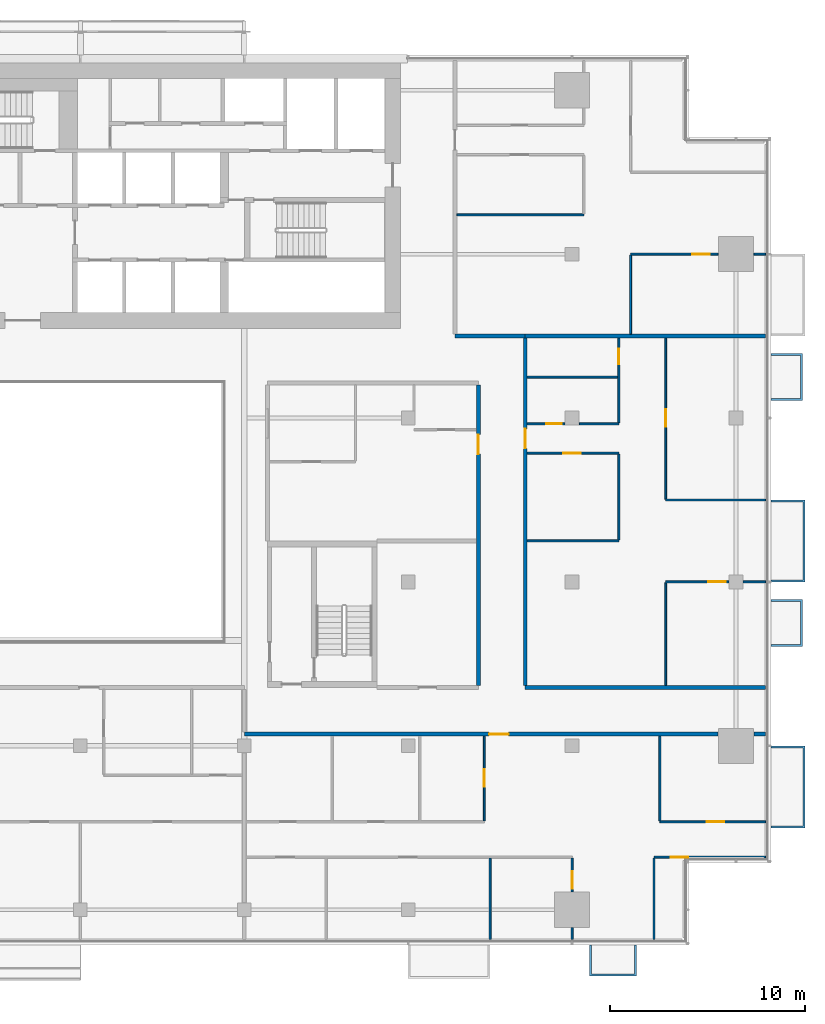
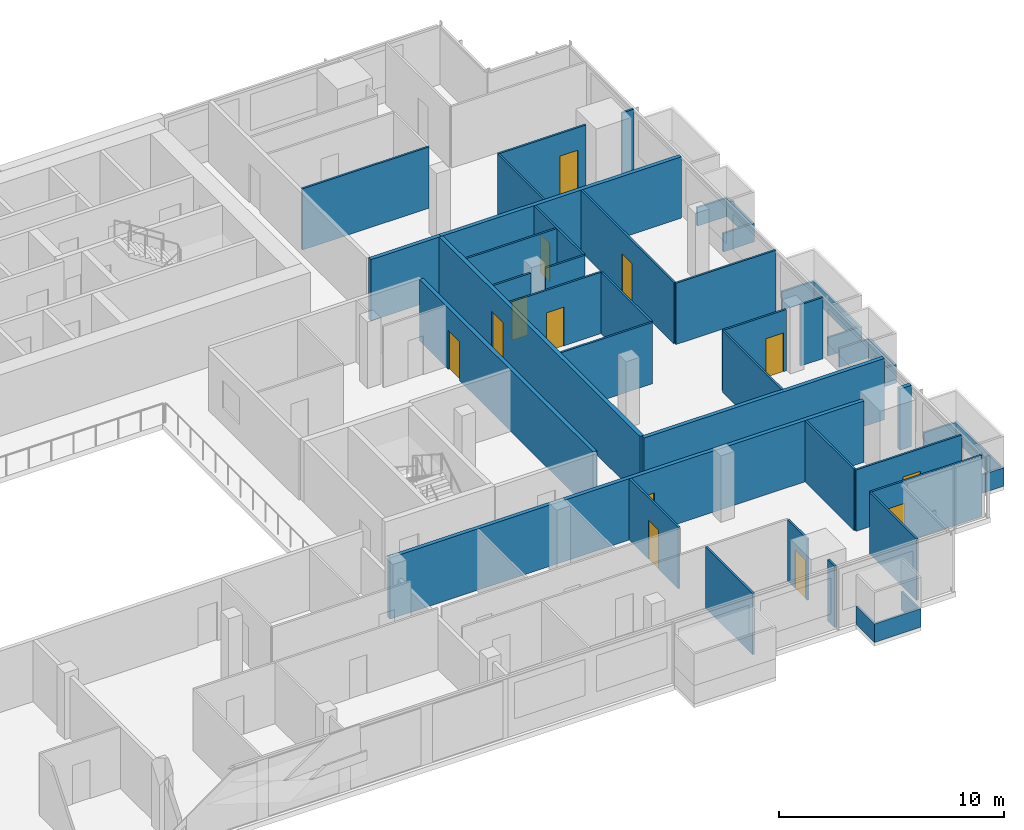
# One storey, part 24 of 28: 36 walls, 13 doors, 13 openings.
"""IFC4 building model written with IfcOpenShell, lengths in metres."""

from ifc_helpers import new_model, si_unit, direction, frame, frame_2d, origin, place, context, subcontext, project, spatial, polyline, rectangle, outline, extrude, material, layer, layer_set, type_object, element, fill, save


model = new_model("IFC4")

# Units and contexts
model_context = context("Model", 3, precision=1e-05, world=origin(), true_north=direction((0.0, 1.0)))
body_context = subcontext(model_context, "Body", "Model", "MODEL_VIEW")
ifc_project = project(units=[si_unit("LENGTHUNIT", "METRE"), si_unit("AREAUNIT", "SQUARE_METRE"), si_unit("VOLUMEUNIT", "CUBIC_METRE"), si_unit("PLANEANGLEUNIT", "RADIAN"), si_unit("MASSUNIT", "GRAM", prefix="KILO")], contexts=[model_context])

# Site, building, storey
site_placement = place(None, origin())
site = spatial("IfcSite", under=ifc_project, at=site_placement, CompositionType="ELEMENT")
building_placement = place(site_placement, origin())
building = spatial("IfcBuilding", under=site, at=building_placement, Name="Saffron Gate Tower", CompositionType="ELEMENT")
storey_placement = place(building_placement, frame((0.0, 0.0, 151.050048828125)))
storey = spatial("IfcBuildingStorey", under=building, at=storey_placement, Name="L36", CompositionType="ELEMENT", Elevation=151.050048828125)

# Wall, opening, door
ifc_material_1 = material(Name="Plasterboard on steel studs", Category="steel")
ifc_layer_1 = layer(ifc_material_1, 0.10009765625)
ifc_layer_set_1 = layer_set([ifc_layer_1], Name="PW1 Partition 100")
wall_type_1 = type_object("IfcWallType", Name="PW1 Partition 100", PredefinedType="PARTITIONING", material=ifc_layer_set_1)
wall_1_placement = place(storey_placement, frame((126.919921875, 34.5, 0.0), z_axis=(0.0, 0.0, 1.0), x_axis=(-1.0, 0.0, 0.0)))
wall_1 = element("IfcWall", 1, at=wall_1_placement, inside=storey, type_object=wall_type_1, Name="Partition C1-4", PredefinedType="PARTITIONING", context=body_context, shape_type="SweptSolid", body=[
    extrude(rectangle(XDim=5.719970703125, YDim=0.10009765625, at=frame_2d((2.85986328125, 0.0))), origin(), (0.0, 0.0, 1.0), 3.320068359375),
])
opening_1_placement = place(wall_1_placement, frame((3.96630859375, 0.0, 0.0)))
opening_1 = element("IfcOpeningElement", 2, at=opening_1_placement, cuts=wall_1, Name="Opening C1-22", PredefinedType="OPENING", context=body_context, shape_type="SweptSolid", body=[
    extrude(rectangle(XDim=0.89990234375, YDim=2.10009765625, at=frame_2d((0.449951171875, 1.050048828125))), frame((0.0, 0.06005859375, 0.0), z_axis=(0.0, -1.0, 0.0), x_axis=(1.0, 0.0, 0.0)), (0.0, 0.0, 1.0), 0.1201171875),
])
ifc_material_2 = material(Name="Timber door set", Category="wood")
door_type_1 = type_object("IfcDoorType", Name="RD1 Room door 900x2100", OperationType="NOTDEFINED", PredefinedType="DOOR", material=ifc_material_2)
door_1_placement = place(opening_1_placement, origin())
door_1 = element("IfcDoor", 3, at=door_1_placement, inside=storey, type_object=door_type_1, Name="Door C1-22", OperationType="SINGLE_SWING_RIGHT", OverallHeight=2.10009765625, OverallWidth=0.89990234375, PredefinedType="DOOR", context=body_context, shape_type="SweptSolid", body=[
    extrude(rectangle(XDim=0.89990234375, YDim=2.10009765625, at=frame_2d((0.449951171875, 1.050048828125))), frame((0.0, 0.02490234375, 0.0), z_axis=(0.0, -1.0, 0.0), x_axis=(1.0, 0.0, 0.0)), (0.0, 0.0, 1.0), 0.050048828125),
])
fill(opening_1, door_1)

wall_2_placement = place(storey_placement, frame((121.5, 36.300048828125, 0.0), z_axis=(0.0, 0.0, 1.0), x_axis=(1.0, 0.0, 0.0)))
wall_2 = element("IfcWall", 4, at=wall_2_placement, inside=storey, type_object=wall_type_1, Name="Partition C1-8", PredefinedType="PARTITIONING", context=body_context, shape_type="SweptSolid", body=[
    extrude(rectangle(XDim=5.419921875, YDim=0.10009765625, at=frame_2d((2.7099609375, 0.0))), origin(), (0.0, 0.0, 1.0), 3.320068359375),
])
opening_2_placement = place(wall_2_placement, frame((2.39990234375, 0.0, 0.0)))
opening_2 = element("IfcOpeningElement", 5, at=opening_2_placement, cuts=wall_2, Name="Opening C1-23", PredefinedType="OPENING", context=body_context, shape_type="SweptSolid", body=[
    extrude(rectangle(XDim=0.89990234375, YDim=2.10009765625, at=frame_2d((0.449951171875, 1.050048828125))), frame((0.0, 0.06005859375, 0.0), z_axis=(0.0, -1.0, 0.0), x_axis=(1.0, 0.0, 0.0)), (0.0, 0.0, 1.0), 0.1201171875),
])
door_2_placement = place(opening_2_placement, origin())
door_2 = element("IfcDoor", 6, at=door_2_placement, inside=storey, type_object=door_type_1, Name="Door C1-23", OperationType="SINGLE_SWING_RIGHT", OverallHeight=2.10009765625, OverallWidth=0.89990234375, PredefinedType="DOOR", context=body_context, shape_type="SweptSolid", body=[
    extrude(rectangle(XDim=0.89990234375, YDim=2.10009765625, at=frame_2d((0.449951171875, 1.050048828125))), frame((0.0, 0.02490234375, 0.0), z_axis=(0.0, -1.0, 0.0), x_axis=(1.0, 0.0, 0.0)), (0.0, 0.0, 1.0), 0.050048828125),
])
fill(opening_2, door_2)

wall_3_placement = place(storey_placement, frame((125.030029296875, 48.60009765625, 0.0), z_axis=(0.0, 0.0, 1.0), x_axis=(-1.0, 0.0, 0.0)))
wall_3 = element("IfcWall", 7, at=wall_3_placement, inside=storey, type_object=wall_type_1, Name="Partition C1-23", PredefinedType="PARTITIONING", context=body_context, shape_type="SweptSolid", body=[
    extrude(rectangle(XDim=3.22998046875, YDim=0.10009765625, at=frame_2d((1.614990234375, 0.0))), origin(), (0.0, 0.0, 1.0), 3.320068359375),
])
opening_3_placement = place(wall_3_placement, frame((0.14990234375, 0.0, 0.0)))
opening_3 = element("IfcOpeningElement", 8, at=opening_3_placement, cuts=wall_3, Name="Opening C1-31", PredefinedType="OPENING", context=body_context, shape_type="SweptSolid", body=[
    extrude(rectangle(XDim=0.89990234375, YDim=2.10009765625, at=frame_2d((0.449951171875, 1.050048828125))), frame((0.0, 0.06005859375, 0.0), z_axis=(0.0, -1.0, 0.0), x_axis=(1.0, 0.0, 0.0)), (0.0, 0.0, 1.0), 0.1201171875),
])
door_3_placement = place(opening_3_placement, origin())
door_3 = element("IfcDoor", 9, at=door_3_placement, inside=storey, type_object=door_type_1, Name="Door C1-31", OperationType="SINGLE_SWING_LEFT", OverallHeight=2.10009765625, OverallWidth=0.89990234375, PredefinedType="DOOR", context=body_context, shape_type="SweptSolid", body=[
    extrude(rectangle(XDim=0.89990234375, YDim=2.10009765625, at=frame_2d((0.449951171875, 1.050048828125))), frame((0.0, 0.02490234375, 0.0), z_axis=(0.0, -1.0, 0.0), x_axis=(1.0, 0.0, 0.0)), (0.0, 0.0, 1.0), 0.050048828125),
])
fill(opening_3, door_3)

# Walls
wall_4_placement = place(storey_placement, frame((125.77001953125, 48.60009765625, 0.0), z_axis=(0.0, 0.0, 1.0), x_axis=(1.0, 0.0, 0.0)))
element("IfcWall", 10, at=wall_4_placement, inside=storey, type_object=wall_type_1, Name="Partition C1-24", PredefinedType="PARTITIONING", context=body_context, shape_type="SweptSolid", body=[
    extrude(rectangle(XDim=1.14990234375, YDim=0.10009765625, at=frame_2d((0.574951171875, 0.0))), origin(), (0.0, 0.0, 1.0), 3.320068359375),
])
wall_5_placement = place(storey_placement, frame((114.699951171875, 50.699951171875, 0.0), z_axis=(0.0, 0.0, 1.0), x_axis=(1.0, 0.0, 0.0)))
element("IfcWall", 11, at=wall_5_placement, inside=storey, type_object=wall_type_1, Name="Partition C1-28", PredefinedType="PARTITIONING", context=body_context, shape_type="SweptSolid", body=[
    extrude(rectangle(XDim=4.699951171875, YDim=0.10009765625, at=frame_2d((2.35009765625, 0.0))), origin(), (0.0, 0.0, 1.0), 3.320068359375),
])
wall_6_placement = place(storey_placement, frame((121.800048828125, 52.800048828125, 0.0), z_axis=(0.0, 0.0, 1.0), x_axis=(1.0, 0.0, 0.0)))
element("IfcWall", 12, at=wall_6_placement, inside=storey, type_object=wall_type_1, Name="Partition C1-30", PredefinedType="PARTITIONING", context=body_context, shape_type="SweptSolid", body=[
    extrude(rectangle(XDim=5.119873046875, YDim=0.10009765625, at=frame_2d((2.56005859375, 0.0))), origin(), (0.0, 0.0, 1.0), 3.320068359375),
])

# Wall, opening, door
wall_7_placement = place(storey_placement, frame((119.39990234375, 55.199951171875, 0.0), z_axis=(0.0, 0.0, 1.0), x_axis=(-1.0, 0.0, 0.0)))
wall_7 = element("IfcWall", 13, at=wall_7_placement, inside=storey, type_object=wall_type_1, Name="Partition C1-34", PredefinedType="PARTITIONING", context=body_context, shape_type="SweptSolid", body=[
    extrude(rectangle(XDim=4.699951171875, YDim=0.10009765625, at=frame_2d((2.35009765625, 0.0))), origin(), (0.0, 0.0, 1.0), 3.320068359375),
])
opening_4_placement = place(wall_7_placement, frame((1.949951171875, 0.0, 0.0)))
opening_4 = element("IfcOpeningElement", 14, at=opening_4_placement, cuts=wall_7, Name="Opening C1-33", PredefinedType="OPENING", context=body_context, shape_type="SweptSolid", body=[
    extrude(rectangle(XDim=0.89990234375, YDim=2.10009765625, at=frame_2d((0.449951171875, 1.050048828125))), frame((0.0, 0.06005859375, 0.0), z_axis=(0.0, -1.0, 0.0), x_axis=(1.0, 0.0, 0.0)), (0.0, 0.0, 1.0), 0.1201171875),
])
door_4_placement = place(opening_4_placement, origin())
door_4 = element("IfcDoor", 15, at=door_4_placement, inside=storey, type_object=door_type_1, Name="Door C1-33", OperationType="SINGLE_SWING_RIGHT", OverallHeight=2.10009765625, OverallWidth=0.89990234375, PredefinedType="DOOR", context=body_context, shape_type="SweptSolid", body=[
    extrude(rectangle(XDim=0.89990234375, YDim=2.10009765625, at=frame_2d((0.449951171875, 1.050048828125))), frame((0.0, 0.02490234375, 0.0), z_axis=(0.0, -1.0, 0.0), x_axis=(1.0, 0.0, 0.0)), (0.0, 0.0, 1.0), 0.050048828125),
])
fill(opening_4, door_4)

wall_8_placement = place(storey_placement, frame((114.699951171875, 56.699951171875, 0.0), z_axis=(0.0, 0.0, 1.0), x_axis=(1.0, 0.0, 0.0)))
wall_8 = element("IfcWall", 16, at=wall_8_placement, inside=storey, type_object=wall_type_1, Name="Partition C1-36", PredefinedType="PARTITIONING", context=body_context, shape_type="SweptSolid", body=[
    extrude(rectangle(XDim=1.929931640625, YDim=0.10009765625, at=frame_2d((0.96484375, 0.0))), origin(), (0.0, 0.0, 1.0), 3.320068359375),
])
opening_5_placement = place(wall_8_placement, frame((0.97998046875, 0.0, 0.0)))
opening_5 = element("IfcOpeningElement", 17, at=opening_5_placement, cuts=wall_8, Name="Opening C1-49", PredefinedType="OPENING", context=body_context, shape_type="SweptSolid", body=[
    extrude(rectangle(XDim=0.800048828125, YDim=2.10009765625, at=frame_2d((0.39990234375, 1.050048828125))), frame((0.0, 0.06005859375, 0.0), z_axis=(0.0, -1.0, 0.0), x_axis=(1.0, 0.0, 0.0)), (0.0, 0.0, 1.0), 0.1201171875),
])
door_type_2 = type_object("IfcDoorType", Name="RD2 Bathroom door 800x2100", OperationType="NOTDEFINED", PredefinedType="DOOR", material=ifc_material_2)
door_5_placement = place(opening_5_placement, origin())
door_5 = element("IfcDoor", 18, at=door_5_placement, inside=storey, type_object=door_type_2, Name="Door C1-49", OperationType="SINGLE_SWING_RIGHT", OverallHeight=2.10009765625, OverallWidth=0.800048828125, PredefinedType="DOOR", context=body_context, shape_type="SweptSolid", body=[
    extrude(rectangle(XDim=0.800048828125, YDim=2.10009765625, at=frame_2d((0.39990234375, 1.050048828125))), frame((0.0, 0.02490234375, 0.0), z_axis=(0.0, -1.0, 0.0), x_axis=(1.0, 0.0, 0.0)), (0.0, 0.0, 1.0), 0.050048828125),
])
fill(opening_5, door_5)

# Walls
wall_9_placement = place(storey_placement, frame((117.3701171875, 56.699951171875, 0.0), z_axis=(0.0, 0.0, 1.0), x_axis=(1.0, 0.0, 0.0)))
element("IfcWall", 19, at=wall_9_placement, inside=storey, type_object=wall_type_1, Name="Partition C1-37", PredefinedType="PARTITIONING", context=body_context, shape_type="SweptSolid", body=[
    extrude(rectangle(XDim=2.02978515625, YDim=0.10009765625, at=frame_2d((1.014892578125, 0.0))), origin(), (0.0, 0.0, 1.0), 3.320068359375),
])
wall_10_placement = place(storey_placement, frame((114.699951171875, 59.10009765625, 0.0), z_axis=(0.0, 0.0, 1.0), x_axis=(1.0, 0.0, 0.0)))
element("IfcWall", 20, at=wall_10_placement, inside=storey, type_object=wall_type_1, Name="Partition C1-41", PredefinedType="PARTITIONING", context=body_context, shape_type="SweptSolid", body=[
    extrude(rectangle(XDim=4.650146484375, YDim=0.10009765625, at=frame_2d((2.3251953125, 0.0))), origin(), (0.0, 0.0, 1.0), 3.320068359375),
])

# Wall, opening, door
wall_11_placement = place(storey_placement, frame((124.47998046875, 65.39990234375, 0.0), z_axis=(0.0, 0.0, 1.0), x_axis=(-1.0, 0.0, 0.0)))
wall_11 = element("IfcWall", 21, at=wall_11_placement, inside=storey, type_object=wall_type_1, Name="Partition C1-46", PredefinedType="PARTITIONING", context=body_context, shape_type="SweptSolid", body=[
    extrude(rectangle(XDim=4.47998046875, YDim=0.10009765625, at=frame_2d((2.239990234375, 0.0))), origin(), (0.0, 0.0, 1.0), 3.320068359375),
])
opening_6_placement = place(wall_11_placement, frame((0.429931640625, 0.0, 0.0)))
opening_6 = element("IfcOpeningElement", 22, at=opening_6_placement, cuts=wall_11, Name="Opening C1-34", PredefinedType="OPENING", context=body_context, shape_type="SweptSolid", body=[
    extrude(rectangle(XDim=0.89990234375, YDim=2.10009765625, at=frame_2d((0.449951171875, 1.050048828125))), frame((0.0, 0.06005859375, 0.0), z_axis=(0.0, -1.0, 0.0), x_axis=(1.0, 0.0, 0.0)), (0.0, 0.0, 1.0), 0.1201171875),
])
door_6_placement = place(opening_6_placement, origin())
door_6 = element("IfcDoor", 23, at=door_6_placement, inside=storey, type_object=door_type_1, Name="Door C1-34", OperationType="SINGLE_SWING_LEFT", OverallHeight=2.10009765625, OverallWidth=0.89990234375, PredefinedType="DOOR", context=body_context, shape_type="SweptSolid", body=[
    extrude(rectangle(XDim=0.89990234375, YDim=2.10009765625, at=frame_2d((0.449951171875, 1.050048828125))), frame((0.0, 0.02490234375, 0.0), z_axis=(0.0, -1.0, 0.0), x_axis=(1.0, 0.0, 0.0)), (0.0, 0.0, 1.0), 0.050048828125),
])
fill(opening_6, door_6)

# Walls
wall_12_placement = place(storey_placement, frame((126.320068359375, 65.39990234375, 0.0), z_axis=(0.0, 0.0, 1.0), x_axis=(1.0, 0.0, 0.0)))
element("IfcWall", 24, at=wall_12_placement, inside=storey, type_object=wall_type_1, Name="Partition C1-47", PredefinedType="PARTITIONING", context=body_context, shape_type="SweptSolid", body=[
    extrude(rectangle(XDim=0.599853515625, YDim=0.10009765625, at=frame_2d((0.2998046875, 0.0))), origin(), (0.0, 0.0, 1.0), 3.320068359375),
])
wall_13_placement = place(storey_placement, frame((111.10009765625, 67.412109375, 0.0), z_axis=(0.0, 0.0, 1.0), x_axis=(1.0, 0.0, 0.0)))
element("IfcWall", 25, at=wall_13_placement, inside=storey, type_object=wall_type_1, Name="Partition C1-49", PredefinedType="PARTITIONING", context=body_context, shape_type="SweptSolid", body=[
    extrude(rectangle(XDim=6.5, YDim=0.10009765625, at=frame_2d((3.25, 0.0))), origin(), (0.0, 0.0, 1.0), 3.320068359375),
])

# Wall, opening, door
wall_14_placement = place(storey_placement, frame((112.5, 36.35009765625, 0.0), z_axis=(0.0, 0.0, 1.0), x_axis=(0.0, 1.0, 0.0)))
wall_14 = element("IfcWall", 26, at=wall_14_placement, inside=storey, type_object=wall_type_1, Name="Partition C1-102", PredefinedType="PARTITIONING", context=body_context, shape_type="SweptSolid", body=[
    extrude(rectangle(XDim=4.349853515625, YDim=0.10009765625, at=frame_2d((2.1748046875, 0.0))), origin(), (0.0, 0.0, 1.0), 3.320068359375),
])
opening_7_placement = place(wall_14_placement, frame((1.75, 0.0, 0.0)))
opening_7 = element("IfcOpeningElement", 27, at=opening_7_placement, cuts=wall_14, Name="Opening C1-24", PredefinedType="OPENING", context=body_context, shape_type="SweptSolid", body=[
    extrude(rectangle(XDim=0.89990234375, YDim=2.10009765625, at=frame_2d((0.449951171875, 1.050048828125))), frame((0.0, 0.06005859375, 0.0), z_axis=(0.0, -1.0, 0.0), x_axis=(1.0, 0.0, 0.0)), (0.0, 0.0, 1.0), 0.1201171875),
])
door_7_placement = place(opening_7_placement, origin())
door_7 = element("IfcDoor", 28, at=door_7_placement, inside=storey, type_object=door_type_1, Name="Door C1-24", OperationType="SINGLE_SWING_RIGHT", OverallHeight=2.10009765625, OverallWidth=0.89990234375, PredefinedType="DOOR", context=body_context, shape_type="SweptSolid", body=[
    extrude(rectangle(XDim=0.89990234375, YDim=2.10009765625, at=frame_2d((0.449951171875, 1.050048828125))), frame((0.0, 0.02490234375, 0.0), z_axis=(0.0, -1.0, 0.0), x_axis=(1.0, 0.0, 0.0)), (0.0, 0.0, 1.0), 0.050048828125),
])
fill(opening_7, door_7)

# Walls
wall_15_placement = place(storey_placement, frame((112.800048828125, 34.449951171875, 0.0), z_axis=(0.0, 0.0, 1.0), x_axis=(0.0, -1.0, 0.0)))
element("IfcWall", 29, at=wall_15_placement, inside=storey, type_object=wall_type_1, Name="Partition C1-103", PredefinedType="PARTITIONING", context=body_context, shape_type="SweptSolid", body=[
    extrude(rectangle(XDim=4.169921875, YDim=0.10009765625, at=frame_2d((2.0849609375, 0.0))), origin(), (0.0, 0.0, 1.0), 3.320068359375),
])
wall_16_placement = place(storey_placement, frame((117.0, 30.8798828125, 0.0), z_axis=(0.0, 0.0, 1.0), x_axis=(0.0, -1.0, 0.0)))
element("IfcWall", 30, at=wall_16_placement, inside=storey, type_object=wall_type_1, Name="Partition C1-105", PredefinedType="PARTITIONING", context=body_context, shape_type="SweptSolid", body=[
    extrude(rectangle(XDim=0.599853515625, YDim=0.10009765625, at=frame_2d((0.2998046875, 0.0))), origin(), (0.0, 0.0, 1.0), 3.320068359375),
])

# Wall, opening, door
wall_17_placement = place(storey_placement, frame((117.0, 32.719970703125, 0.0), z_axis=(0.0, 0.0, 1.0), x_axis=(0.0, 1.0, 0.0)))
wall_17 = element("IfcWall", 31, at=wall_17_placement, inside=storey, type_object=wall_type_1, Name="Partition C1-106", PredefinedType="PARTITIONING", context=body_context, shape_type="SweptSolid", body=[
    extrude(rectangle(XDim=1.72998046875, YDim=0.10009765625, at=frame_2d((0.864990234375, 0.0))), origin(), (0.0, 0.0, 1.0), 3.320068359375),
])
opening_8_placement = place(wall_17_placement, frame((0.14990234375, 0.0, 0.0)))
opening_8 = element("IfcOpeningElement", 32, at=opening_8_placement, cuts=wall_17, Name="Opening C1-21", PredefinedType="OPENING", context=body_context, shape_type="SweptSolid", body=[
    extrude(rectangle(XDim=0.89990234375, YDim=2.10009765625, at=frame_2d((0.449951171875, 1.050048828125))), frame((0.0, 0.06005859375, 0.0), z_axis=(0.0, -1.0, 0.0), x_axis=(1.0, 0.0, 0.0)), (0.0, 0.0, 1.0), 0.1201171875),
])
door_8_placement = place(opening_8_placement, origin())
door_8 = element("IfcDoor", 33, at=door_8_placement, inside=storey, type_object=door_type_1, Name="Door C1-21", OperationType="SINGLE_SWING_LEFT", OverallHeight=2.10009765625, OverallWidth=0.89990234375, PredefinedType="DOOR", context=body_context, shape_type="SweptSolid", body=[
    extrude(rectangle(XDim=0.89990234375, YDim=2.10009765625, at=frame_2d((0.449951171875, 1.050048828125))), frame((0.0, 0.02490234375, 0.0), z_axis=(0.0, -1.0, 0.0), x_axis=(1.0, 0.0, 0.0)), (0.0, 0.0, 1.0), 0.050048828125),
])
fill(opening_8, door_8)

# Wall
wall_18_placement = place(storey_placement, frame((119.39990234375, 55.14990234375, 0.0), z_axis=(0.0, 0.0, 1.0), x_axis=(0.0, -1.0, 0.0)))
element("IfcWall", 34, at=wall_18_placement, inside=storey, type_object=wall_type_1, Name="Partition C1-110", PredefinedType="PARTITIONING", context=body_context, shape_type="SweptSolid", body=[
    extrude(rectangle(XDim=4.39990234375, YDim=0.10009765625, at=frame_2d((2.199951171875, 0.0))), origin(), (0.0, 0.0, 1.0), 3.320068359375),
])

# Wall, opening, door
wall_19_placement = place(storey_placement, frame((119.39990234375, 56.75, 0.0), z_axis=(0.0, 0.0, 1.0), x_axis=(0.0, 1.0, 0.0)))
wall_19 = element("IfcWall", 35, at=wall_19_placement, inside=storey, type_object=wall_type_1, Name="Partition C1-111", PredefinedType="PARTITIONING", context=body_context, shape_type="SweptSolid", body=[
    extrude(rectangle(XDim=4.35009765625, YDim=0.10009765625, at=frame_2d((2.175048828125, 0.0))), origin(), (0.0, 0.0, 1.0), 3.320068359375),
])
opening_9_placement = place(wall_19_placement, frame((3.0, 0.0, 0.0)))
opening_9 = element("IfcOpeningElement", 36, at=opening_9_placement, cuts=wall_19, Name="Opening C1-50", PredefinedType="OPENING", context=body_context, shape_type="SweptSolid", body=[
    extrude(rectangle(XDim=0.800048828125, YDim=2.10009765625, at=frame_2d((0.39990234375, 1.050048828125))), frame((0.0, 0.06005859375, 0.0), z_axis=(0.0, -1.0, 0.0), x_axis=(1.0, 0.0, 0.0)), (0.0, 0.0, 1.0), 0.1201171875),
])
door_9_placement = place(opening_9_placement, origin())
door_9 = element("IfcDoor", 37, at=door_9_placement, inside=storey, type_object=door_type_2, Name="Door C1-50", OperationType="SINGLE_SWING_RIGHT", OverallHeight=2.10009765625, OverallWidth=0.800048828125, PredefinedType="DOOR", context=body_context, shape_type="SweptSolid", body=[
    extrude(rectangle(XDim=0.800048828125, YDim=2.10009765625, at=frame_2d((0.39990234375, 1.050048828125))), frame((0.0, 0.02490234375, 0.0), z_axis=(0.0, -1.0, 0.0), x_axis=(1.0, 0.0, 0.0)), (0.0, 0.0, 1.0), 0.050048828125),
])
fill(opening_9, door_9)

# Walls
wall_20_placement = place(storey_placement, frame((120.0, 65.35009765625, 0.0), z_axis=(0.0, 0.0, 1.0), x_axis=(0.0, -1.0, 0.0)))
element("IfcWall", 38, at=wall_20_placement, inside=storey, type_object=wall_type_1, Name="Partition C1-112", PredefinedType="PARTITIONING", context=body_context, shape_type="SweptSolid", body=[
    extrude(rectangle(XDim=4.050048828125, YDim=0.10009765625, at=frame_2d((2.02490234375, 0.0))), origin(), (0.0, 0.0, 1.0), 3.320068359375),
])
wall_21_placement = place(storey_placement, frame((121.199951171875, 34.449951171875, 0.0), z_axis=(0.0, 0.0, 1.0), x_axis=(0.0, -1.0, 0.0)))
element("IfcWall", 39, at=wall_21_placement, inside=storey, type_object=wall_type_1, Name="Partition C1-114", PredefinedType="PARTITIONING", context=body_context, shape_type="SweptSolid", body=[
    extrude(rectangle(XDim=4.169921875, YDim=0.10009765625, at=frame_2d((2.0849609375, 0.0))), origin(), (0.0, 0.0, 1.0), 3.320068359375),
])
wall_22_placement = place(storey_placement, frame((121.5, 40.699951171875, 0.0), z_axis=(0.0, 0.0, 1.0), x_axis=(0.0, -1.0, 0.0)))
element("IfcWall", 40, at=wall_22_placement, inside=storey, type_object=wall_type_1, Name="Partition C1-115", PredefinedType="PARTITIONING", context=body_context, shape_type="SweptSolid", body=[
    extrude(rectangle(XDim=4.349853515625, YDim=0.10009765625, at=frame_2d((2.1748046875, 0.0))), origin(), (0.0, 0.0, 1.0), 3.320068359375),
])
wall_23_placement = place(storey_placement, frame((121.800048828125, 48.550048828125, 0.0), z_axis=(0.0, 0.0, 1.0), x_axis=(0.0, -1.0, 0.0)))
element("IfcWall", 41, at=wall_23_placement, inside=storey, type_object=wall_type_1, Name="Partition C1-116", PredefinedType="PARTITIONING", context=body_context, shape_type="SweptSolid", body=[
    extrude(rectangle(XDim=5.25, YDim=0.10009765625, at=frame_2d((2.625, 0.0))), origin(), (0.0, 0.0, 1.0), 3.320068359375),
])

# Wall, opening, door
wall_24_placement = place(storey_placement, frame((121.800048828125, 61.10009765625, 0.0), z_axis=(0.0, 0.0, 1.0), x_axis=(0.0, -1.0, 0.0)))
wall_24 = element("IfcWall", 42, at=wall_24_placement, inside=storey, type_object=wall_type_1, Name="Partition C1-117", PredefinedType="PARTITIONING", context=body_context, shape_type="SweptSolid", body=[
    extrude(rectangle(XDim=8.25, YDim=0.10009765625, at=frame_2d((4.125, 0.0))), origin(), (0.0, 0.0, 1.0), 3.320068359375),
])
opening_10_placement = place(wall_24_placement, frame((3.64990234375, 0.0, 0.0)))
opening_10 = element("IfcOpeningElement", 43, at=opening_10_placement, cuts=wall_24, Name="Opening C1-32", PredefinedType="OPENING", context=body_context, shape_type="SweptSolid", body=[
    extrude(rectangle(XDim=0.89990234375, YDim=2.10009765625, at=frame_2d((0.449951171875, 1.050048828125))), frame((0.0, 0.06005859375, 0.0), z_axis=(0.0, -1.0, 0.0), x_axis=(1.0, 0.0, 0.0)), (0.0, 0.0, 1.0), 0.1201171875),
])
door_10_placement = place(opening_10_placement, origin())
door_10 = element("IfcDoor", 44, at=door_10_placement, inside=storey, type_object=door_type_1, Name="Door C1-32", OperationType="SINGLE_SWING_LEFT", OverallHeight=2.10009765625, OverallWidth=0.89990234375, PredefinedType="DOOR", context=body_context, shape_type="SweptSolid", body=[
    extrude(rectangle(XDim=0.89990234375, YDim=2.10009765625, at=frame_2d((0.449951171875, 1.050048828125))), frame((0.0, 0.02490234375, 0.0), z_axis=(0.0, -1.0, 0.0), x_axis=(1.0, 0.0, 0.0)), (0.0, 0.0, 1.0), 0.050048828125),
])
fill(opening_10, door_10)

# Wall
ifc_material_3 = material(Name="Clay brick masonry, rendered", Category="masonry")
ifc_layer_2 = layer(ifc_material_3, 0.199951171875)
ifc_layer_set_2 = layer_set([ifc_layer_2], Name="PW2 Demising wall 200")
wall_type_2 = type_object("IfcWallType", Name="PW2 Demising wall 200", PredefinedType="PARTITIONING", material=ifc_layer_set_2)
wall_25_placement = place(storey_placement, frame((114.60009765625, 61.199951171875, 0.0), z_axis=(0.0, 0.0, 1.0), x_axis=(1.0, 0.0, 0.0)))
element("IfcWall", 45, at=wall_25_placement, inside=storey, type_object=wall_type_2, Name="Wall C1-45", PredefinedType="PARTITIONING", context=body_context, shape_type="SweptSolid", body=[
    extrude(rectangle(XDim=12.31982421875, YDim=0.199951171875, at=frame_2d((6.159912109375, 0.0))), origin(), (0.0, 0.0, 1.0), 3.320068359375),
])

# Wall, opening, door
ifc_layer_3 = layer(ifc_material_3, 0.199951171875)
ifc_layer_set_3 = layer_set([ifc_layer_3], Name="PW3 Corridor wall 200")
wall_type_3 = type_object("IfcWallType", Name="PW3 Corridor wall 200", PredefinedType="PARTITIONING", material=ifc_layer_set_3)
wall_26_placement = place(storey_placement, frame((124.47998046875, 40.800048828125, 0.0), z_axis=(0.0, 0.0, 1.0), x_axis=(-1.0, 0.0, 0.0)))
wall_26 = element("IfcWall", 46, at=wall_26_placement, inside=storey, type_object=wall_type_3, Name="Wall C1-13", PredefinedType="PARTITIONING", context=body_context, shape_type="SweptSolid", body=[
    extrude(rectangle(XDim=24.280029296875, YDim=0.199951171875, at=frame_2d((12.14013671875, 0.0))), origin(), (0.0, 0.0, 1.0), 3.320068359375),
])
opening_11_placement = place(wall_26_placement, frame((10.72998046875, 0.0, 0.0)))
opening_11 = element("IfcOpeningElement", 47, at=opening_11_placement, cuts=wall_26, Name="Opening C1-4", PredefinedType="OPENING", context=body_context, shape_type="SweptSolid", body=[
    extrude(rectangle(XDim=1.0, YDim=2.10009765625, at=frame_2d((0.5, 1.050048828125))), frame((0.0, 0.10986328125, 0.0), z_axis=(0.0, -1.0, 0.0), x_axis=(1.0, 0.0, 0.0)), (0.0, 0.0, 1.0), 0.219970703125),
])
ifc_material_4 = material(Name="Timber fire door set", Category="wood")
door_type_3 = type_object("IfcDoorType", Name="FD1 Flat entry door 1000x2100", OperationType="NOTDEFINED", PredefinedType="DOOR", material=ifc_material_4)
door_11_placement = place(opening_11_placement, origin())
door_11 = element("IfcDoor", 48, at=door_11_placement, inside=storey, type_object=door_type_3, Name="Door C1-4", OperationType="SINGLE_SWING_RIGHT", OverallHeight=2.10009765625, OverallWidth=1.0, PredefinedType="DOOR", context=body_context, shape_type="SweptSolid", body=[
    extrude(rectangle(XDim=1.0, YDim=2.10009765625, at=frame_2d((0.5, 1.050048828125))), frame((0.0, 0.02490234375, 0.0), z_axis=(0.0, -1.0, 0.0), x_axis=(1.0, 0.0, 0.0)), (0.0, 0.0, 1.0), 0.050048828125),
])
fill(opening_11, door_11)

# Walls
wall_27_placement = place(storey_placement, frame((126.320068359375, 40.800048828125, 0.0), z_axis=(0.0, 0.0, 1.0), x_axis=(1.0, 0.0, 0.0)))
element("IfcWall", 49, at=wall_27_placement, inside=storey, type_object=wall_type_3, Name="Wall C1-14", PredefinedType="PARTITIONING", context=body_context, shape_type="SweptSolid", body=[
    extrude(rectangle(XDim=0.599853515625, YDim=0.199951171875, at=frame_2d((0.2998046875, 0.0))), origin(), (0.0, 0.0, 1.0), 3.320068359375),
])
wall_28_placement = place(storey_placement, frame((114.60009765625, 43.199951171875, 0.0), z_axis=(0.0, 0.0, 1.0), x_axis=(1.0, 0.0, 0.0)))
element("IfcWall", 50, at=wall_28_placement, inside=storey, type_object=wall_type_3, Name="Wall C1-19", PredefinedType="PARTITIONING", context=body_context, shape_type="SweptSolid", body=[
    extrude(rectangle(XDim=12.31982421875, YDim=0.199951171875, at=frame_2d((6.159912109375, 0.0))), origin(), (0.0, 0.0, 1.0), 3.320068359375),
])
wall_29_placement = place(storey_placement, frame((111.0, 61.199951171875, 0.0), z_axis=(0.0, 0.0, 1.0), x_axis=(1.0, 0.0, 0.0)))
element("IfcWall", 51, at=wall_29_placement, inside=storey, type_object=wall_type_3, Name="Wall C1-43", PredefinedType="PARTITIONING", context=body_context, shape_type="SweptSolid", body=[
    extrude(rectangle(XDim=3.60009765625, YDim=0.199951171875, at=frame_2d((1.800048828125, 0.0))), origin(), (0.0, 0.0, 1.0), 3.320068359375),
])

# Wall, opening, door
wall_30_placement = place(storey_placement, frame((112.199951171875, 43.300048828125, 0.0), z_axis=(0.0, 0.0, 1.0), x_axis=(0.0, 1.0, 0.0)))
wall_30 = element("IfcWall", 52, at=wall_30_placement, inside=storey, type_object=wall_type_3, Name="Wall C1-101", PredefinedType="PARTITIONING", context=body_context, shape_type="SweptSolid", body=[
    extrude(rectangle(XDim=15.39990234375, YDim=0.199951171875, at=frame_2d((7.699951171875, 0.0))), origin(), (0.0, 0.0, 1.0), 3.320068359375),
])
opening_12_placement = place(wall_30_placement, frame((11.85009765625, 0.0, 0.0)))
opening_12 = element("IfcOpeningElement", 53, at=opening_12_placement, cuts=wall_30, Name="Opening C1-10", PredefinedType="OPENING", context=body_context, shape_type="SweptSolid", body=[
    extrude(rectangle(XDim=1.0, YDim=2.10009765625, at=frame_2d((0.5, 1.050048828125))), frame((0.0, 0.10986328125, 0.0), z_axis=(0.0, -1.0, 0.0), x_axis=(1.0, 0.0, 0.0)), (0.0, 0.0, 1.0), 0.219970703125),
])
door_12_placement = place(opening_12_placement, origin())
door_12 = element("IfcDoor", 54, at=door_12_placement, inside=storey, type_object=door_type_3, Name="Door C1-10", OperationType="SINGLE_SWING_RIGHT", OverallHeight=2.10009765625, OverallWidth=1.0, PredefinedType="DOOR", context=body_context, shape_type="SweptSolid", body=[
    extrude(rectangle(XDim=1.0, YDim=2.10009765625, at=frame_2d((0.5, 1.050048828125))), frame((0.0, 0.02490234375, 0.0), z_axis=(0.0, -1.0, 0.0), x_axis=(1.0, 0.0, 0.0)), (0.0, 0.0, 1.0), 0.050048828125),
])
fill(opening_12, door_12)

wall_31_placement = place(storey_placement, frame((114.60009765625, 61.10009765625, 0.0), z_axis=(0.0, 0.0, 1.0), x_axis=(0.0, -1.0, 0.0)))
wall_31 = element("IfcWall", 55, at=wall_31_placement, inside=storey, type_object=wall_type_3, Name="Wall C1-104", PredefinedType="PARTITIONING", context=body_context, shape_type="SweptSolid", body=[
    extrude(rectangle(XDim=17.800048828125, YDim=0.199951171875, at=frame_2d((8.89990234375, 0.0))), origin(), (0.0, 0.0, 1.0), 3.320068359375),
])
opening_13_placement = place(wall_31_placement, frame((4.64990234375, 0.0, 0.0)))
opening_13 = element("IfcOpeningElement", 56, at=opening_13_placement, cuts=wall_31, Name="Opening C1-7", PredefinedType="OPENING", context=body_context, shape_type="SweptSolid", body=[
    extrude(rectangle(XDim=1.0, YDim=2.10009765625, at=frame_2d((0.5, 1.050048828125))), frame((0.0, 0.10986328125, 0.0), z_axis=(0.0, -1.0, 0.0), x_axis=(1.0, 0.0, 0.0)), (0.0, 0.0, 1.0), 0.219970703125),
])
door_13_placement = place(opening_13_placement, origin())
door_13 = element("IfcDoor", 57, at=door_13_placement, inside=storey, type_object=door_type_3, Name="Door C1-7", OperationType="SINGLE_SWING_LEFT", OverallHeight=2.10009765625, OverallWidth=1.0, PredefinedType="DOOR", context=body_context, shape_type="SweptSolid", body=[
    extrude(rectangle(XDim=1.0, YDim=2.10009765625, at=frame_2d((0.5, 1.050048828125))), frame((0.0, 0.02490234375, 0.0), z_axis=(0.0, -1.0, 0.0), x_axis=(1.0, 0.0, 0.0)), (0.0, 0.0, 1.0), 0.050048828125),
])
fill(opening_13, door_13)

# Walls
ifc_material_5 = material(Name="Rendered insulated panel, white")
ifc_layer_4 = layer(ifc_material_5, 0.10009765625)
ifc_layer_set_4 = layer_set([ifc_layer_4], Name="WB3 box parapet white")
wall_type_4 = type_object("IfcWallType", Name="WB3 box parapet white", PredefinedType="SOLIDWALL", material=ifc_layer_set_4)
wall_32_placement = place(storey_placement, origin())
element("IfcWall", 58, at=wall_32_placement, inside=storey, type_object=wall_type_4, Name="WINDOW BOX parapet", PredefinedType="SOLIDWALL", context=body_context, shape_type="SweptSolid", body=[
    extrude(outline(polyline([(117.89990234375, 30.0), (118.0, 30.0), (118.0, 28.5), (120.199951171875, 28.5), (120.199951171875, 30.0), (120.300048828125, 30.0), (120.300048828125, 28.39990234375), (117.89990234375, 28.39990234375), (117.89990234375, 30.0)])), origin(), (0.0, 0.0, 1.0), 1.0),
])
wall_33_placement = place(storey_placement, origin())
element("IfcWall", 59, at=wall_33_placement, inside=storey, type_object=wall_type_4, Name="WINDOW BOX parapet", PredefinedType="SOLIDWALL", context=body_context, shape_type="SweptSolid", body=[
    extrude(outline(polyline([(127.199951171875, 36.0), (127.199951171875, 36.10009765625), (128.8330078125, 36.10009765625), (128.8330078125, 40.10009765625), (127.199951171875, 40.10009765625), (127.199951171875, 40.199951171875), (128.93310546875, 40.199951171875), (128.93310546875, 36.0), (127.199951171875, 36.0)])), origin(), (0.0, 0.0, 1.0), 1.0),
])
wall_34_placement = place(storey_placement, origin())
element("IfcWall", 60, at=wall_34_placement, inside=storey, type_object=wall_type_4, Name="WINDOW BOX parapet", PredefinedType="SOLIDWALL", context=body_context, shape_type="SweptSolid", body=[
    extrude(outline(polyline([(127.199951171875, 45.300048828125), (127.199951171875, 45.39990234375), (128.699951171875, 45.39990234375), (128.699951171875, 47.60009765625), (127.199951171875, 47.60009765625), (127.199951171875, 47.699951171875), (128.800048828125, 47.699951171875), (128.800048828125, 45.300048828125), (127.199951171875, 45.300048828125)])), origin(), (0.0, 0.0, 1.0), 1.0),
])
wall_35_placement = place(storey_placement, origin())
element("IfcWall", 61, at=wall_35_placement, inside=storey, type_object=wall_type_4, Name="WINDOW BOX parapet", PredefinedType="SOLIDWALL", context=body_context, shape_type="SweptSolid", body=[
    extrude(outline(polyline([(127.199951171875, 48.60009765625), (127.199951171875, 48.699951171875), (128.8330078125, 48.699951171875), (128.8330078125, 52.699951171875), (127.199951171875, 52.699951171875), (127.199951171875, 52.800048828125), (128.93310546875, 52.800048828125), (128.93310546875, 48.60009765625), (127.199951171875, 48.60009765625)])), origin(), (0.0, 0.0, 1.0), 1.0),
])
wall_36_placement = place(storey_placement, origin())
element("IfcWall", 62, at=wall_36_placement, inside=storey, type_object=wall_type_4, Name="WINDOW BOX parapet", PredefinedType="SOLIDWALL", context=body_context, shape_type="SweptSolid", body=[
    extrude(outline(polyline([(127.199951171875, 57.89990234375), (127.199951171875, 58.0), (128.699951171875, 58.0), (128.699951171875, 60.199951171875), (127.199951171875, 60.199951171875), (127.199951171875, 60.300048828125), (128.800048828125, 60.300048828125), (128.800048828125, 57.89990234375), (127.199951171875, 57.89990234375)])), origin(), (0.0, 0.0, 1.0), 1.0),
])

save(model, "model.ifc")
